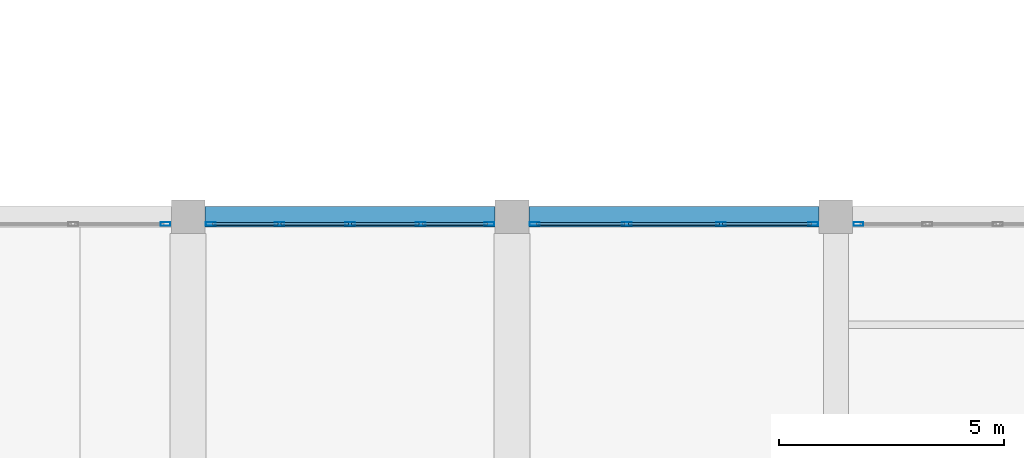
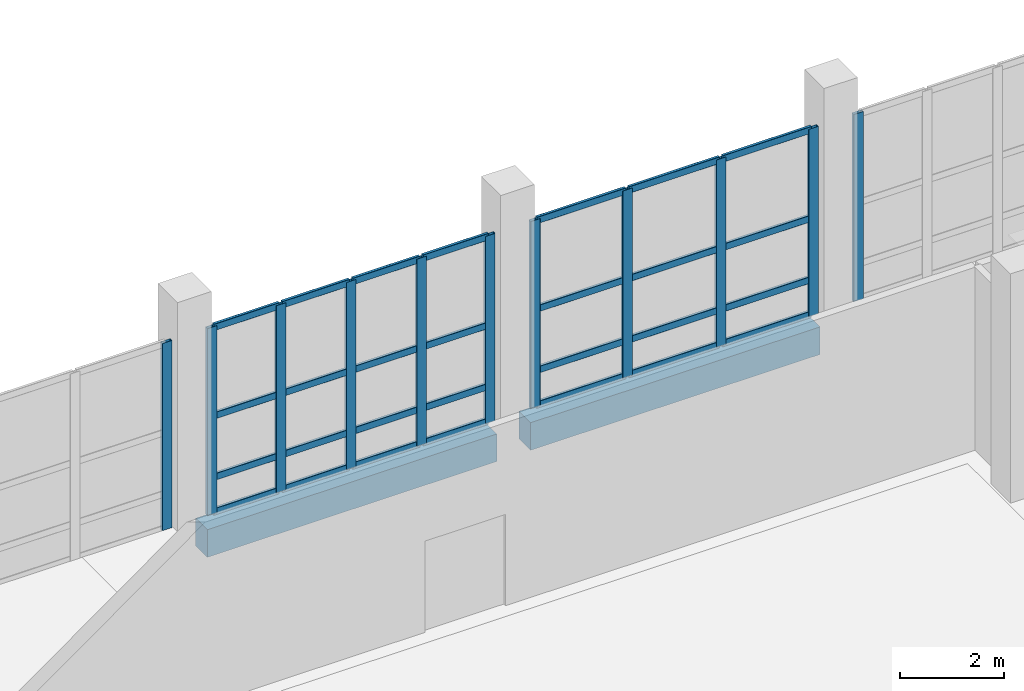
# One storey, part 36 of 137: 39 members, 2 beams, 4 elements without a shape of their own.
"""IFC4 building model written with IfcOpenShell, lengths in metres."""

from ifc_helpers import new_model, si_unit, direction, frame, origin, origin_2d, place, context, subcontext, project, spatial, rectangle, hollow_rectangle, extrude, material, material_profile, profile_set, type_object, element, aggregate, save


model = new_model("IFC4")

# Units and contexts
model_context = context("Model", 3, precision=1e-05, world=origin(), true_north=direction((0.0, 1.0)))
body_context = subcontext(model_context, "Body", "Model", "MODEL_VIEW")
ifc_project = project(units=[si_unit("LENGTHUNIT", "METRE"), si_unit("AREAUNIT", "SQUARE_METRE"), si_unit("VOLUMEUNIT", "CUBIC_METRE"), si_unit("PLANEANGLEUNIT", "RADIAN"), si_unit("MASSUNIT", "GRAM", prefix="KILO")], contexts=[model_context])

# Site, building, storey
site_placement = place(None, origin())
site = spatial("IfcSite", under=ifc_project, at=site_placement, CompositionType="ELEMENT")
building_placement = place(site_placement, origin())
building = spatial("IfcBuilding", under=site, at=building_placement, Name="Kalmorath City Hall", CompositionType="ELEMENT")
storey_placement = place(building_placement, origin())
storey = spatial("IfcBuildingStorey", under=building, at=storey_placement, Name="L00", CompositionType="ELEMENT", Elevation=0.0)

# Beams
ifc_material_1 = material(Name="Concrete C40/50", Category="concrete")
ifc_material_profile_1 = material_profile(ifc_material_1, rectangle(XDim=0.449951171875, YDim=0.64990234375, at=origin_2d()), Name="RC-BM-450X650")
ifc_profile_set_1 = profile_set([ifc_material_profile_1], Name="Concrete C40/50")
beam_type = type_object("IfcBeamType", Name="Concrete spandrel beam 450x650", PredefinedType="SPANDREL", material=ifc_profile_set_1)
for number, where, z_axis, x_axis, name in (
    (1, (65.175048828125, 43.199951171875, -0.62890625), (1.0, 0.0, 0.0), (0.0, 1.0, 0.0), "L00 girder CB5 X10-11/7"),
    (2, (72.375, 43.199951171875, -0.62890625), (1.0, 0.0, 0.0), (0.0, 1.0, 0.0), "L00 girder CB5 X11-12/7"),
):
    element("IfcBeam", number, at=place(storey_placement, frame(where, z_axis=z_axis, x_axis=x_axis)), inside=storey, type_object=beam_type, Name=name, PredefinedType="SPANDREL", context=body_context, shape_type="SweptSolid", body=[
        extrude(rectangle(XDim=0.449951171875, YDim=0.64990234375, at=origin_2d()), origin(), (0.0, 0.0, 1.0), 6.449951171875),
    ])

# Curtain wall, member
ifc_material_2 = material(Name="Anodised aluminium and laminated glass", Category="aluminium")
curtain_wall_type_1 = type_object("IfcCurtainWallType", Name="Unitised hurricane curtain wall 6270x4411 M1800", PredefinedType="NOTDEFINED", material=ifc_material_2)
curtain_wall_1_placement = place(storey_placement, origin())
curtain_wall_1 = element("IfcCurtainWall", 3, at=curtain_wall_1_placement, inside=storey, type_object=curtain_wall_type_1, Name="L00 curtain wall CW-63X44M18 #31", PredefinedType="NOTDEFINED")
ifc_material_3 = material(Name="Anodised aluminium framing", Category="aluminium")
ifc_material_profile_2 = material_profile(ifc_material_3, hollow_rectangle(XDim=0.074951171875, YDim=0.219970703125, WallThickness=0.00390625, InnerFilletRadius=0.00390625, OuterFilletRadius=0.008056640625, at=origin_2d()), Name="ALU-MUL-220X75X4")
ifc_profile_set_2 = profile_set([ifc_material_profile_2], Name="Anodised aluminium framing")
member_type_1 = type_object("IfcMemberType", Name="Curtain-wall primary mullion 220x75", PredefinedType="MULLION", material=ifc_profile_set_2)
member_1_placement = place(storey_placement, frame((64.297607421875, 43.0400390625, 0.0), z_axis=(0.0, 0.0, 1.0), x_axis=(0.0, 1.0, 0.0)))
member_1 = element("IfcMember", 4, at=member_1_placement, type_object=member_type_1, Name="CW-63X44M18 mullion 4", PredefinedType="MULLION", context=body_context, shape_type="SweptSolid", body=[
    extrude(hollow_rectangle(XDim=0.074951171875, YDim=0.219970703125, WallThickness=0.00390625, InnerFilletRadius=0.00390625, OuterFilletRadius=0.008056640625, at=origin_2d()), origin(), (0.0, 0.0, 1.0), 4.410888671875),
])
aggregate(curtain_wall_1, [member_1])

# Curtain wall, members
ifc_material_4 = material(Name="Anodised aluminium and laminated glass", Category="aluminium")
curtain_wall_type_2 = type_object("IfcCurtainWallType", Name="Unitised hurricane curtain wall 6270x4411 M1500", PredefinedType="NOTDEFINED", material=ifc_material_4)
curtain_wall_2_placement = place(storey_placement, origin())
curtain_wall_2 = element("IfcCurtainWall", 5, at=curtain_wall_2_placement, inside=storey, type_object=curtain_wall_type_2, Name="L00 curtain wall CW-63X44M15 #32", PredefinedType="NOTDEFINED")
member_2_placement = place(storey_placement, frame((65.302490234375, 43.0400390625, 0.0), z_axis=(0.0, 0.0, 1.0), x_axis=(0.0, 1.0, 0.0)))
member_2 = element("IfcMember", 6, at=member_2_placement, type_object=member_type_1, Name="CW-63X44M15 mullion 1", PredefinedType="MULLION", context=body_context, shape_type="SweptSolid", body=[
    extrude(hollow_rectangle(XDim=0.074951171875, YDim=0.219970703125, WallThickness=0.00390625, InnerFilletRadius=0.00390625, OuterFilletRadius=0.008056640625, at=origin_2d()), origin(), (0.0, 0.0, 1.0), 4.410888671875),
])
member_3_placement = place(storey_placement, frame((66.83251953125, 43.0400390625, 0.0), z_axis=(0.0, 0.0, 1.0), x_axis=(0.0, 1.0, 0.0)))
member_3 = element("IfcMember", 7, at=member_3_placement, type_object=member_type_1, Name="CW-63X44M15 mullion 2", PredefinedType="MULLION", context=body_context, shape_type="SweptSolid", body=[
    extrude(hollow_rectangle(XDim=0.074951171875, YDim=0.219970703125, WallThickness=0.00390625, InnerFilletRadius=0.00390625, OuterFilletRadius=0.008056640625, at=origin_2d()), origin(), (0.0, 0.0, 1.0), 4.410888671875),
])
member_4_placement = place(storey_placement, frame((68.39990234375, 43.0400390625, 0.0), z_axis=(0.0, 0.0, 1.0), x_axis=(0.0, 1.0, 0.0)))
member_4 = element("IfcMember", 8, at=member_4_placement, type_object=member_type_1, Name="CW-63X44M15 mullion 3", PredefinedType="MULLION", context=body_context, shape_type="SweptSolid", body=[
    extrude(hollow_rectangle(XDim=0.074951171875, YDim=0.219970703125, WallThickness=0.00390625, InnerFilletRadius=0.00390625, OuterFilletRadius=0.008056640625, at=origin_2d()), origin(), (0.0, 0.0, 1.0), 4.410888671875),
])
member_5_placement = place(storey_placement, frame((69.967529296875, 43.0400390625, 0.0), z_axis=(0.0, 0.0, 1.0), x_axis=(0.0, 1.0, 0.0)))
member_5 = element("IfcMember", 9, at=member_5_placement, type_object=member_type_1, Name="CW-63X44M15 mullion 4", PredefinedType="MULLION", context=body_context, shape_type="SweptSolid", body=[
    extrude(hollow_rectangle(XDim=0.074951171875, YDim=0.219970703125, WallThickness=0.00390625, InnerFilletRadius=0.00390625, OuterFilletRadius=0.008056640625, at=origin_2d()), origin(), (0.0, 0.0, 1.0), 4.410888671875),
])
member_6_placement = place(storey_placement, frame((71.49755859375, 43.0400390625, 0.0), z_axis=(0.0, 0.0, 1.0), x_axis=(0.0, 1.0, 0.0)))
member_6 = element("IfcMember", 10, at=member_6_placement, type_object=member_type_1, Name="CW-63X44M15 mullion 5", PredefinedType="MULLION", context=body_context, shape_type="SweptSolid", body=[
    extrude(hollow_rectangle(XDim=0.074951171875, YDim=0.219970703125, WallThickness=0.00390625, InnerFilletRadius=0.00390625, OuterFilletRadius=0.008056640625, at=origin_2d()), origin(), (0.0, 0.0, 1.0), 4.410888671875),
])

ifc_material_5 = material(Name="Anodised aluminium and laminated glass", Category="aluminium")
curtain_wall_type_3 = type_object("IfcCurtainWallType", Name="Unitised hurricane curtain wall 6270x4411 M2100", PredefinedType="NOTDEFINED", material=ifc_material_5)
curtain_wall_3_placement = place(storey_placement, origin())
curtain_wall_3 = element("IfcCurtainWall", 11, at=curtain_wall_3_placement, inside=storey, type_object=curtain_wall_type_3, Name="L00 curtain wall CW-63X44M21 #33", PredefinedType="NOTDEFINED")
member_7_placement = place(storey_placement, frame((72.50244140625, 43.0400390625, 0.0), z_axis=(0.0, 0.0, 1.0), x_axis=(0.0, 1.0, 0.0)))
member_7 = element("IfcMember", 12, at=member_7_placement, type_object=member_type_1, Name="CW-63X44M21 mullion 1", PredefinedType="MULLION", context=body_context, shape_type="SweptSolid", body=[
    extrude(hollow_rectangle(XDim=0.074951171875, YDim=0.219970703125, WallThickness=0.00390625, InnerFilletRadius=0.00390625, OuterFilletRadius=0.008056640625, at=origin_2d()), origin(), (0.0, 0.0, 1.0), 4.410888671875),
])
member_8_placement = place(storey_placement, frame((74.554931640625, 43.0400390625, 0.0), z_axis=(0.0, 0.0, 1.0), x_axis=(0.0, 1.0, 0.0)))
member_8 = element("IfcMember", 13, at=member_8_placement, type_object=member_type_1, Name="CW-63X44M21 mullion 2", PredefinedType="MULLION", context=body_context, shape_type="SweptSolid", body=[
    extrude(hollow_rectangle(XDim=0.074951171875, YDim=0.219970703125, WallThickness=0.00390625, InnerFilletRadius=0.00390625, OuterFilletRadius=0.008056640625, at=origin_2d()), origin(), (0.0, 0.0, 1.0), 4.410888671875),
])
member_9_placement = place(storey_placement, frame((76.64501953125, 43.0400390625, 0.0), z_axis=(0.0, 0.0, 1.0), x_axis=(0.0, 1.0, 0.0)))
member_9 = element("IfcMember", 14, at=member_9_placement, type_object=member_type_1, Name="CW-63X44M21 mullion 3", PredefinedType="MULLION", context=body_context, shape_type="SweptSolid", body=[
    extrude(hollow_rectangle(XDim=0.074951171875, YDim=0.219970703125, WallThickness=0.00390625, InnerFilletRadius=0.00390625, OuterFilletRadius=0.008056640625, at=origin_2d()), origin(), (0.0, 0.0, 1.0), 4.410888671875),
])
member_10_placement = place(storey_placement, frame((78.697509765625, 43.0400390625, 0.0), z_axis=(0.0, 0.0, 1.0), x_axis=(0.0, 1.0, 0.0)))
member_10 = element("IfcMember", 15, at=member_10_placement, type_object=member_type_1, Name="CW-63X44M21 mullion 4", PredefinedType="MULLION", context=body_context, shape_type="SweptSolid", body=[
    extrude(hollow_rectangle(XDim=0.074951171875, YDim=0.219970703125, WallThickness=0.00390625, InnerFilletRadius=0.00390625, OuterFilletRadius=0.008056640625, at=origin_2d()), origin(), (0.0, 0.0, 1.0), 4.410888671875),
])

# Curtain wall, member
curtain_wall_4_placement = place(storey_placement, origin())
curtain_wall_4 = element("IfcCurtainWall", 16, at=curtain_wall_4_placement, inside=storey, type_object=curtain_wall_type_2, Name="L00 curtain wall CW-63X44M15 #34", PredefinedType="NOTDEFINED")
member_11_placement = place(storey_placement, frame((79.702392578125, 43.0400390625, 0.0), z_axis=(0.0, 0.0, 1.0), x_axis=(0.0, 1.0, 0.0)))
member_11 = element("IfcMember", 17, at=member_11_placement, type_object=member_type_1, Name="CW-63X44M15 mullion 1", PredefinedType="MULLION", context=body_context, shape_type="SweptSolid", body=[
    extrude(hollow_rectangle(XDim=0.074951171875, YDim=0.219970703125, WallThickness=0.00390625, InnerFilletRadius=0.00390625, OuterFilletRadius=0.008056640625, at=origin_2d()), origin(), (0.0, 0.0, 1.0), 4.410888671875),
])
aggregate(curtain_wall_4, [member_11])

# Member
ifc_material_6 = material(Name="Anodised aluminium framing", Category="aluminium")
ifc_material_profile_3 = material_profile(ifc_material_6, hollow_rectangle(XDim=0.06494140625, YDim=0.159912109375, WallThickness=0.00390625, InnerFilletRadius=0.00390625, OuterFilletRadius=0.008056640625, at=origin_2d()), Name="ALU-TRN-160X65X4")
ifc_profile_set_3 = profile_set([ifc_material_profile_3], Name="Anodised aluminium framing")
member_type_2 = type_object("IfcMemberType", Name="Curtain-wall primary transom 160x65", PredefinedType="USERDEFINED", material=ifc_profile_set_3)
member_12_placement = place(storey_placement, frame((65.340087890625, 43.0400390625, 0.032470703125), z_axis=(1.0, 0.0, 0.0), x_axis=(0.0, 1.0, 0.0)))
member_12 = element("IfcMember", 18, at=member_12_placement, type_object=member_type_2, Name="CW-63X44M15 transom 1.1", ObjectType="TRANSOM", PredefinedType="USERDEFINED", context=body_context, shape_type="SweptSolid", body=[
    extrude(hollow_rectangle(XDim=0.06494140625, YDim=0.159912109375, WallThickness=0.00390625, InnerFilletRadius=0.00390625, OuterFilletRadius=0.008056640625, at=origin_2d()), origin(), (0.0, 0.0, 1.0), 1.454833984375),
])

member_13_placement = place(storey_placement, frame((65.340087890625, 43.0400390625, 0.85009765625), z_axis=(1.0, 0.0, 0.0), x_axis=(0.0, 1.0, 0.0)))
member_13 = element("IfcMember", 19, at=member_13_placement, type_object=member_type_2, Name="CW-63X44M15 transom 1.2", ObjectType="TRANSOM", PredefinedType="USERDEFINED", context=body_context, shape_type="SweptSolid", body=[
    extrude(hollow_rectangle(XDim=0.06494140625, YDim=0.159912109375, WallThickness=0.00390625, InnerFilletRadius=0.00390625, OuterFilletRadius=0.008056640625, at=origin_2d()), origin(), (0.0, 0.0, 1.0), 1.454833984375),
])

member_14_placement = place(storey_placement, frame((65.340087890625, 43.0400390625, 2.2939453125), z_axis=(1.0, 0.0, 0.0), x_axis=(0.0, 1.0, 0.0)))
member_14 = element("IfcMember", 20, at=member_14_placement, type_object=member_type_2, Name="CW-63X44M15 transom 1.3", ObjectType="TRANSOM", PredefinedType="USERDEFINED", context=body_context, shape_type="SweptSolid", body=[
    extrude(hollow_rectangle(XDim=0.06494140625, YDim=0.159912109375, WallThickness=0.00390625, InnerFilletRadius=0.00390625, OuterFilletRadius=0.008056640625, at=origin_2d()), origin(), (0.0, 0.0, 1.0), 1.454833984375),
])

member_15_placement = place(storey_placement, frame((65.340087890625, 43.0400390625, 4.37841796875), z_axis=(1.0, 0.0, 0.0), x_axis=(0.0, 1.0, 0.0)))
member_15 = element("IfcMember", 21, at=member_15_placement, type_object=member_type_2, Name="CW-63X44M15 transom 1.4", ObjectType="TRANSOM", PredefinedType="USERDEFINED", context=body_context, shape_type="SweptSolid", body=[
    extrude(hollow_rectangle(XDim=0.06494140625, YDim=0.159912109375, WallThickness=0.00390625, InnerFilletRadius=0.00390625, OuterFilletRadius=0.008056640625, at=origin_2d()), origin(), (0.0, 0.0, 1.0), 1.454833984375),
])

member_16_placement = place(storey_placement, frame((66.8701171875, 43.0400390625, 0.032470703125), z_axis=(1.0, 0.0, 0.0), x_axis=(0.0, 1.0, 0.0)))
member_16 = element("IfcMember", 22, at=member_16_placement, type_object=member_type_2, Name="CW-63X44M15 transom 2.1", ObjectType="TRANSOM", PredefinedType="USERDEFINED", context=body_context, shape_type="SweptSolid", body=[
    extrude(hollow_rectangle(XDim=0.06494140625, YDim=0.159912109375, WallThickness=0.00390625, InnerFilletRadius=0.00390625, OuterFilletRadius=0.008056640625, at=origin_2d()), origin(), (0.0, 0.0, 1.0), 1.492431640625),
])

member_17_placement = place(storey_placement, frame((66.8701171875, 43.0400390625, 0.85009765625), z_axis=(1.0, 0.0, 0.0), x_axis=(0.0, 1.0, 0.0)))
member_17 = element("IfcMember", 23, at=member_17_placement, type_object=member_type_2, Name="CW-63X44M15 transom 2.2", ObjectType="TRANSOM", PredefinedType="USERDEFINED", context=body_context, shape_type="SweptSolid", body=[
    extrude(hollow_rectangle(XDim=0.06494140625, YDim=0.159912109375, WallThickness=0.00390625, InnerFilletRadius=0.00390625, OuterFilletRadius=0.008056640625, at=origin_2d()), origin(), (0.0, 0.0, 1.0), 1.492431640625),
])

member_18_placement = place(storey_placement, frame((66.8701171875, 43.0400390625, 2.2939453125), z_axis=(1.0, 0.0, 0.0), x_axis=(0.0, 1.0, 0.0)))
member_18 = element("IfcMember", 24, at=member_18_placement, type_object=member_type_2, Name="CW-63X44M15 transom 2.3", ObjectType="TRANSOM", PredefinedType="USERDEFINED", context=body_context, shape_type="SweptSolid", body=[
    extrude(hollow_rectangle(XDim=0.06494140625, YDim=0.159912109375, WallThickness=0.00390625, InnerFilletRadius=0.00390625, OuterFilletRadius=0.008056640625, at=origin_2d()), origin(), (0.0, 0.0, 1.0), 1.492431640625),
])

member_19_placement = place(storey_placement, frame((66.8701171875, 43.0400390625, 4.37841796875), z_axis=(1.0, 0.0, 0.0), x_axis=(0.0, 1.0, 0.0)))
member_19 = element("IfcMember", 25, at=member_19_placement, type_object=member_type_2, Name="CW-63X44M15 transom 2.4", ObjectType="TRANSOM", PredefinedType="USERDEFINED", context=body_context, shape_type="SweptSolid", body=[
    extrude(hollow_rectangle(XDim=0.06494140625, YDim=0.159912109375, WallThickness=0.00390625, InnerFilletRadius=0.00390625, OuterFilletRadius=0.008056640625, at=origin_2d()), origin(), (0.0, 0.0, 1.0), 1.492431640625),
])

member_20_placement = place(storey_placement, frame((68.4375, 43.0400390625, 0.032470703125), z_axis=(1.0, 0.0, 0.0), x_axis=(0.0, 1.0, 0.0)))
member_20 = element("IfcMember", 26, at=member_20_placement, type_object=member_type_2, Name="CW-63X44M15 transom 3.1", ObjectType="TRANSOM", PredefinedType="USERDEFINED", context=body_context, shape_type="SweptSolid", body=[
    extrude(hollow_rectangle(XDim=0.06494140625, YDim=0.159912109375, WallThickness=0.00390625, InnerFilletRadius=0.00390625, OuterFilletRadius=0.008056640625, at=origin_2d()), origin(), (0.0, 0.0, 1.0), 1.492431640625),
])

member_21_placement = place(storey_placement, frame((68.4375, 43.0400390625, 0.85009765625), z_axis=(1.0, 0.0, 0.0), x_axis=(0.0, 1.0, 0.0)))
member_21 = element("IfcMember", 27, at=member_21_placement, type_object=member_type_2, Name="CW-63X44M15 transom 3.2", ObjectType="TRANSOM", PredefinedType="USERDEFINED", context=body_context, shape_type="SweptSolid", body=[
    extrude(hollow_rectangle(XDim=0.06494140625, YDim=0.159912109375, WallThickness=0.00390625, InnerFilletRadius=0.00390625, OuterFilletRadius=0.008056640625, at=origin_2d()), origin(), (0.0, 0.0, 1.0), 1.492431640625),
])

member_22_placement = place(storey_placement, frame((68.4375, 43.0400390625, 2.2939453125), z_axis=(1.0, 0.0, 0.0), x_axis=(0.0, 1.0, 0.0)))
member_22 = element("IfcMember", 28, at=member_22_placement, type_object=member_type_2, Name="CW-63X44M15 transom 3.3", ObjectType="TRANSOM", PredefinedType="USERDEFINED", context=body_context, shape_type="SweptSolid", body=[
    extrude(hollow_rectangle(XDim=0.06494140625, YDim=0.159912109375, WallThickness=0.00390625, InnerFilletRadius=0.00390625, OuterFilletRadius=0.008056640625, at=origin_2d()), origin(), (0.0, 0.0, 1.0), 1.492431640625),
])

member_23_placement = place(storey_placement, frame((68.4375, 43.0400390625, 4.37841796875), z_axis=(1.0, 0.0, 0.0), x_axis=(0.0, 1.0, 0.0)))
member_23 = element("IfcMember", 29, at=member_23_placement, type_object=member_type_2, Name="CW-63X44M15 transom 3.4", ObjectType="TRANSOM", PredefinedType="USERDEFINED", context=body_context, shape_type="SweptSolid", body=[
    extrude(hollow_rectangle(XDim=0.06494140625, YDim=0.159912109375, WallThickness=0.00390625, InnerFilletRadius=0.00390625, OuterFilletRadius=0.008056640625, at=origin_2d()), origin(), (0.0, 0.0, 1.0), 1.492431640625),
])

member_24_placement = place(storey_placement, frame((70.0048828125, 43.0400390625, 0.032470703125), z_axis=(1.0, 0.0, 0.0), x_axis=(0.0, 1.0, 0.0)))
member_24 = element("IfcMember", 30, at=member_24_placement, type_object=member_type_2, Name="CW-63X44M15 transom 4.1", ObjectType="TRANSOM", PredefinedType="USERDEFINED", context=body_context, shape_type="SweptSolid", body=[
    extrude(hollow_rectangle(XDim=0.06494140625, YDim=0.159912109375, WallThickness=0.00390625, InnerFilletRadius=0.00390625, OuterFilletRadius=0.008056640625, at=origin_2d()), origin(), (0.0, 0.0, 1.0), 1.455078125),
])

member_25_placement = place(storey_placement, frame((70.0048828125, 43.0400390625, 0.85009765625), z_axis=(1.0, 0.0, 0.0), x_axis=(0.0, 1.0, 0.0)))
member_25 = element("IfcMember", 31, at=member_25_placement, type_object=member_type_2, Name="CW-63X44M15 transom 4.2", ObjectType="TRANSOM", PredefinedType="USERDEFINED", context=body_context, shape_type="SweptSolid", body=[
    extrude(hollow_rectangle(XDim=0.06494140625, YDim=0.159912109375, WallThickness=0.00390625, InnerFilletRadius=0.00390625, OuterFilletRadius=0.008056640625, at=origin_2d()), origin(), (0.0, 0.0, 1.0), 1.455078125),
])

member_26_placement = place(storey_placement, frame((70.0048828125, 43.0400390625, 2.2939453125), z_axis=(1.0, 0.0, 0.0), x_axis=(0.0, 1.0, 0.0)))
member_26 = element("IfcMember", 32, at=member_26_placement, type_object=member_type_2, Name="CW-63X44M15 transom 4.3", ObjectType="TRANSOM", PredefinedType="USERDEFINED", context=body_context, shape_type="SweptSolid", body=[
    extrude(hollow_rectangle(XDim=0.06494140625, YDim=0.159912109375, WallThickness=0.00390625, InnerFilletRadius=0.00390625, OuterFilletRadius=0.008056640625, at=origin_2d()), origin(), (0.0, 0.0, 1.0), 1.455078125),
])

member_27_placement = place(storey_placement, frame((70.0048828125, 43.0400390625, 4.37841796875), z_axis=(1.0, 0.0, 0.0), x_axis=(0.0, 1.0, 0.0)))
member_27 = element("IfcMember", 33, at=member_27_placement, type_object=member_type_2, Name="CW-63X44M15 transom 4.4", ObjectType="TRANSOM", PredefinedType="USERDEFINED", context=body_context, shape_type="SweptSolid", body=[
    extrude(hollow_rectangle(XDim=0.06494140625, YDim=0.159912109375, WallThickness=0.00390625, InnerFilletRadius=0.00390625, OuterFilletRadius=0.008056640625, at=origin_2d()), origin(), (0.0, 0.0, 1.0), 1.455078125),
])

aggregate(curtain_wall_2, [member_2, member_3, member_4, member_5, member_6, member_12, member_13, member_14, member_15, member_16, member_17, member_18, member_19, member_20, member_21, member_22, member_23, member_24, member_25, member_26, member_27])

member_28_placement = place(storey_placement, frame((72.5400390625, 43.0400390625, 0.032470703125), z_axis=(1.0, 0.0, 0.0), x_axis=(0.0, 1.0, 0.0)))
member_28 = element("IfcMember", 34, at=member_28_placement, type_object=member_type_2, Name="CW-63X44M21 transom 1.1", ObjectType="TRANSOM", PredefinedType="USERDEFINED", context=body_context, shape_type="SweptSolid", body=[
    extrude(hollow_rectangle(XDim=0.06494140625, YDim=0.159912109375, WallThickness=0.00390625, InnerFilletRadius=0.00390625, OuterFilletRadius=0.008056640625, at=origin_2d()), origin(), (0.0, 0.0, 1.0), 1.9775390625),
])

member_29_placement = place(storey_placement, frame((72.5400390625, 43.0400390625, 0.85009765625), z_axis=(1.0, 0.0, 0.0), x_axis=(0.0, 1.0, 0.0)))
member_29 = element("IfcMember", 35, at=member_29_placement, type_object=member_type_2, Name="CW-63X44M21 transom 1.2", ObjectType="TRANSOM", PredefinedType="USERDEFINED", context=body_context, shape_type="SweptSolid", body=[
    extrude(hollow_rectangle(XDim=0.06494140625, YDim=0.159912109375, WallThickness=0.00390625, InnerFilletRadius=0.00390625, OuterFilletRadius=0.008056640625, at=origin_2d()), origin(), (0.0, 0.0, 1.0), 1.9775390625),
])

member_30_placement = place(storey_placement, frame((72.5400390625, 43.0400390625, 2.2939453125), z_axis=(1.0, 0.0, 0.0), x_axis=(0.0, 1.0, 0.0)))
member_30 = element("IfcMember", 36, at=member_30_placement, type_object=member_type_2, Name="CW-63X44M21 transom 1.3", ObjectType="TRANSOM", PredefinedType="USERDEFINED", context=body_context, shape_type="SweptSolid", body=[
    extrude(hollow_rectangle(XDim=0.06494140625, YDim=0.159912109375, WallThickness=0.00390625, InnerFilletRadius=0.00390625, OuterFilletRadius=0.008056640625, at=origin_2d()), origin(), (0.0, 0.0, 1.0), 1.9775390625),
])

member_31_placement = place(storey_placement, frame((72.5400390625, 43.0400390625, 4.37841796875), z_axis=(1.0, 0.0, 0.0), x_axis=(0.0, 1.0, 0.0)))
member_31 = element("IfcMember", 37, at=member_31_placement, type_object=member_type_2, Name="CW-63X44M21 transom 1.4", ObjectType="TRANSOM", PredefinedType="USERDEFINED", context=body_context, shape_type="SweptSolid", body=[
    extrude(hollow_rectangle(XDim=0.06494140625, YDim=0.159912109375, WallThickness=0.00390625, InnerFilletRadius=0.00390625, OuterFilletRadius=0.008056640625, at=origin_2d()), origin(), (0.0, 0.0, 1.0), 1.9775390625),
])

member_32_placement = place(storey_placement, frame((74.592529296875, 43.0400390625, 0.032470703125), z_axis=(1.0, 0.0, 0.0), x_axis=(0.0, 1.0, 0.0)))
member_32 = element("IfcMember", 38, at=member_32_placement, type_object=member_type_2, Name="CW-63X44M21 transom 2.1", ObjectType="TRANSOM", PredefinedType="USERDEFINED", context=body_context, shape_type="SweptSolid", body=[
    extrude(hollow_rectangle(XDim=0.06494140625, YDim=0.159912109375, WallThickness=0.00390625, InnerFilletRadius=0.00390625, OuterFilletRadius=0.008056640625, at=origin_2d()), origin(), (0.0, 0.0, 1.0), 2.014892578125),
])

member_33_placement = place(storey_placement, frame((74.592529296875, 43.0400390625, 0.85009765625), z_axis=(1.0, 0.0, 0.0), x_axis=(0.0, 1.0, 0.0)))
member_33 = element("IfcMember", 39, at=member_33_placement, type_object=member_type_2, Name="CW-63X44M21 transom 2.2", ObjectType="TRANSOM", PredefinedType="USERDEFINED", context=body_context, shape_type="SweptSolid", body=[
    extrude(hollow_rectangle(XDim=0.06494140625, YDim=0.159912109375, WallThickness=0.00390625, InnerFilletRadius=0.00390625, OuterFilletRadius=0.008056640625, at=origin_2d()), origin(), (0.0, 0.0, 1.0), 2.014892578125),
])

member_34_placement = place(storey_placement, frame((74.592529296875, 43.0400390625, 2.2939453125), z_axis=(1.0, 0.0, 0.0), x_axis=(0.0, 1.0, 0.0)))
member_34 = element("IfcMember", 40, at=member_34_placement, type_object=member_type_2, Name="CW-63X44M21 transom 2.3", ObjectType="TRANSOM", PredefinedType="USERDEFINED", context=body_context, shape_type="SweptSolid", body=[
    extrude(hollow_rectangle(XDim=0.06494140625, YDim=0.159912109375, WallThickness=0.00390625, InnerFilletRadius=0.00390625, OuterFilletRadius=0.008056640625, at=origin_2d()), origin(), (0.0, 0.0, 1.0), 2.014892578125),
])

member_35_placement = place(storey_placement, frame((74.592529296875, 43.0400390625, 4.37841796875), z_axis=(1.0, 0.0, 0.0), x_axis=(0.0, 1.0, 0.0)))
member_35 = element("IfcMember", 41, at=member_35_placement, type_object=member_type_2, Name="CW-63X44M21 transom 2.4", ObjectType="TRANSOM", PredefinedType="USERDEFINED", context=body_context, shape_type="SweptSolid", body=[
    extrude(hollow_rectangle(XDim=0.06494140625, YDim=0.159912109375, WallThickness=0.00390625, InnerFilletRadius=0.00390625, OuterFilletRadius=0.008056640625, at=origin_2d()), origin(), (0.0, 0.0, 1.0), 2.014892578125),
])

member_36_placement = place(storey_placement, frame((76.6826171875, 43.0400390625, 0.032470703125), z_axis=(1.0, 0.0, 0.0), x_axis=(0.0, 1.0, 0.0)))
member_36 = element("IfcMember", 42, at=member_36_placement, type_object=member_type_2, Name="CW-63X44M21 transom 3.1", ObjectType="TRANSOM", PredefinedType="USERDEFINED", context=body_context, shape_type="SweptSolid", body=[
    extrude(hollow_rectangle(XDim=0.06494140625, YDim=0.159912109375, WallThickness=0.00390625, InnerFilletRadius=0.00390625, OuterFilletRadius=0.008056640625, at=origin_2d()), origin(), (0.0, 0.0, 1.0), 1.977294921875),
])

member_37_placement = place(storey_placement, frame((76.6826171875, 43.0400390625, 0.85009765625), z_axis=(1.0, 0.0, 0.0), x_axis=(0.0, 1.0, 0.0)))
member_37 = element("IfcMember", 43, at=member_37_placement, type_object=member_type_2, Name="CW-63X44M21 transom 3.2", ObjectType="TRANSOM", PredefinedType="USERDEFINED", context=body_context, shape_type="SweptSolid", body=[
    extrude(hollow_rectangle(XDim=0.06494140625, YDim=0.159912109375, WallThickness=0.00390625, InnerFilletRadius=0.00390625, OuterFilletRadius=0.008056640625, at=origin_2d()), origin(), (0.0, 0.0, 1.0), 1.977294921875),
])

member_38_placement = place(storey_placement, frame((76.6826171875, 43.0400390625, 2.2939453125), z_axis=(1.0, 0.0, 0.0), x_axis=(0.0, 1.0, 0.0)))
member_38 = element("IfcMember", 44, at=member_38_placement, type_object=member_type_2, Name="CW-63X44M21 transom 3.3", ObjectType="TRANSOM", PredefinedType="USERDEFINED", context=body_context, shape_type="SweptSolid", body=[
    extrude(hollow_rectangle(XDim=0.06494140625, YDim=0.159912109375, WallThickness=0.00390625, InnerFilletRadius=0.00390625, OuterFilletRadius=0.008056640625, at=origin_2d()), origin(), (0.0, 0.0, 1.0), 1.977294921875),
])

member_39_placement = place(storey_placement, frame((76.6826171875, 43.0400390625, 4.37841796875), z_axis=(1.0, 0.0, 0.0), x_axis=(0.0, 1.0, 0.0)))
member_39 = element("IfcMember", 45, at=member_39_placement, type_object=member_type_2, Name="CW-63X44M21 transom 3.4", ObjectType="TRANSOM", PredefinedType="USERDEFINED", context=body_context, shape_type="SweptSolid", body=[
    extrude(hollow_rectangle(XDim=0.06494140625, YDim=0.159912109375, WallThickness=0.00390625, InnerFilletRadius=0.00390625, OuterFilletRadius=0.008056640625, at=origin_2d()), origin(), (0.0, 0.0, 1.0), 1.977294921875),
])

aggregate(curtain_wall_3, [member_7, member_8, member_9, member_10, member_28, member_29, member_30, member_31, member_32, member_33, member_34, member_35, member_36, member_37, member_38, member_39])

save(model, "model.ifc")
